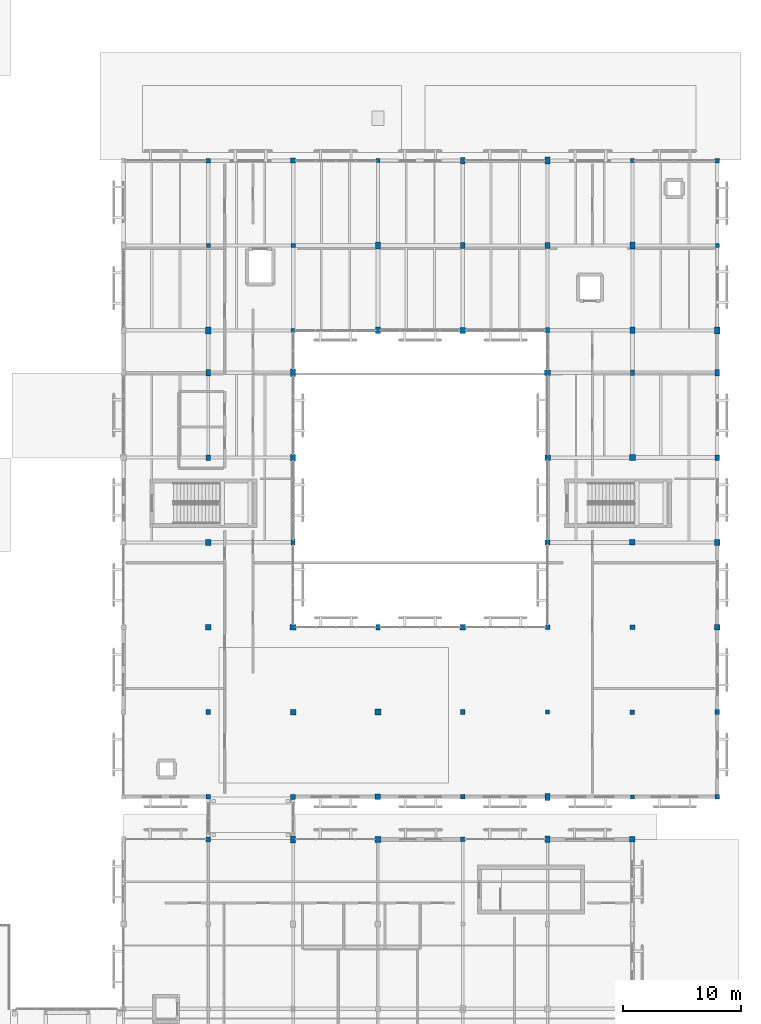
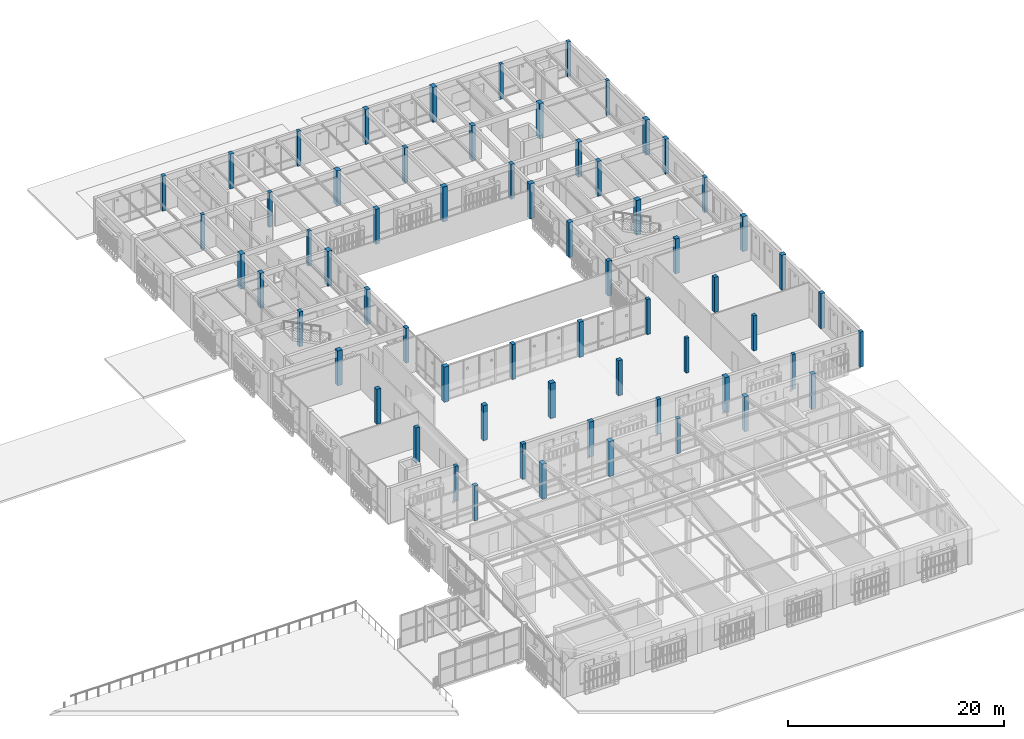
# One storey, part 11 of 112: 63 columns.
"""IFC4 building model written with IfcOpenShell, lengths in metres."""

from ifc_helpers import new_model, si_unit, direction, frame, origin, origin_2d, place, context, subcontext, project, spatial, rectangle, extrude, material, material_profile, profile_set, type_object, element, save


model = new_model("IFC4")

# Units and contexts
model_context = context("Model", 3, precision=1e-05, world=origin(), true_north=direction((0.0, 1.0)))
body_context = subcontext(model_context, "Body", "Model", "MODEL_VIEW")
ifc_project = project(units=[si_unit("LENGTHUNIT", "METRE"), si_unit("AREAUNIT", "SQUARE_METRE"), si_unit("VOLUMEUNIT", "CUBIC_METRE"), si_unit("PLANEANGLEUNIT", "RADIAN"), si_unit("MASSUNIT", "GRAM", prefix="KILO")], contexts=[model_context])

# Site, building, storey
site_placement = place(None, origin())
site = spatial("IfcSite", under=ifc_project, at=site_placement, CompositionType="ELEMENT")
building_placement = place(site_placement, origin())
building = spatial("IfcBuilding", under=site, at=building_placement, Name="Mazaris Harbour Polytechnic", CompositionType="ELEMENT")
storey_placement = place(building_placement, frame((0.0, 0.0, 13.800048828125)))
storey = spatial("IfcBuildingStorey", under=building, at=storey_placement, Name="L03", CompositionType="ELEMENT", Elevation=13.800048828125)

# Columns
ifc_material_1 = material(Name="Glulam GL28h", Category="wood")
ifc_material_profile_1 = material_profile(ifc_material_1, rectangle(XDim=0.340087890625, YDim=0.340087890625, at=origin_2d()), Name="RECT340x340")
ifc_profile_set_1 = profile_set([ifc_material_profile_1], Name="Glulam GL28h")
column_type_1 = type_object("IfcColumnType", Name="Glulam Column 340x340", PredefinedType="COLUMN", material=ifc_profile_set_1)
for number, where, z_axis, x_axis, name in (
    (1, (129.60009765625, 93.60009765625, 0.0), (0.0, 0.0, 1.0), (1.0, 0.0, 0.0), "V5 L03 Column 1416"),
    (2, (136.800048828125, 86.39990234375, 0.0), (0.0, 0.0, 1.0), (1.0, 0.0, 0.0), "V5 L03 Column 1424"),
):
    element("IfcColumn", number, at=place(storey_placement, frame(where, z_axis=z_axis, x_axis=x_axis)), inside=storey, type_object=column_type_1, Name=name, PredefinedType="COLUMN", context=body_context, shape_type="SweptSolid", body=[
        extrude(rectangle(XDim=0.340087890625, YDim=0.340087890625, at=origin_2d()), origin(), (0.0, 0.0, 1.0), 3.93505859375),
    ])
column_1_placement = place(storey_placement, frame((158.39990234375, 54.0, 0.0), z_axis=(0.0, 0.0, 1.0), x_axis=(1.0, 0.0, 0.0)))
element("IfcColumn", 3, at=column_1_placement, inside=storey, type_object=column_type_1, Name="V5 L03 Column 1440", PredefinedType="COLUMN", context=body_context, shape_type="SweptSolid", body=[
    extrude(rectangle(XDim=0.340087890625, YDim=0.340087890625, at=origin_2d()), origin(), (0.0, 0.0, 1.0), 3.9599609375),
])
ifc_material_2 = material(Name="Glulam GL28h", Category="wood")
ifc_material_profile_2 = material_profile(ifc_material_2, rectangle(XDim=0.340087890625, YDim=0.340087890625, at=origin_2d()), Name="RECT340x340")
ifc_profile_set_2 = profile_set([ifc_material_profile_2], Name="Glulam GL28h")
column_type_2 = type_object("IfcColumnType", Name="Glulam Column 340x340 Exterior", PredefinedType="COLUMN", material=ifc_profile_set_2)
column_2_placement = place(storey_placement, frame((144.0, 100.800048828125, 0.0), z_axis=(0.0, 0.0, 1.0), x_axis=(1.0, 0.0, 0.0)))
element("IfcColumn", 4, at=column_2_placement, inside=storey, type_object=column_type_2, Name="V5 L03 Column 1432", PredefinedType="COLUMN", context=body_context, shape_type="SweptSolid", body=[
    extrude(rectangle(XDim=0.340087890625, YDim=0.340087890625, at=origin_2d()), origin(), (0.0, 0.0, 1.0), 3.93505859375),
])
column_3_placement = place(storey_placement, frame((165.60009765625, 46.800048828125, 0.0), z_axis=(0.0, 0.0, 1.0), x_axis=(1.0, 0.0, 0.0)))
element("IfcColumn", 5, at=column_3_placement, inside=storey, type_object=column_type_2, Name="V5 L03 Column 1448", PredefinedType="COLUMN", context=body_context, shape_type="SweptSolid", body=[
    extrude(rectangle(XDim=0.340087890625, YDim=0.340087890625, at=origin_2d()), origin(), (0.0, 0.0, 1.0), 3.9599609375),
])
for number, where, z_axis, x_axis, name in (
    (6, (165.60009765625, 100.800048828125, 0.0), (0.0, 0.0, 1.0), (1.0, 0.0, 0.0), "V5 L03 Column 1456"),
    (7, (172.800048828125, 93.60009765625, 0.0), (0.0, 0.0, 1.0), (1.0, 0.0, 0.0), "V5 L03 Column 1464"),
):
    element("IfcColumn", number, at=place(storey_placement, frame(where, z_axis=z_axis, x_axis=x_axis)), inside=storey, type_object=column_type_2, Name=name, PredefinedType="COLUMN", context=body_context, shape_type="SweptSolid", body=[
        extrude(rectangle(XDim=0.340087890625, YDim=0.340087890625, at=origin_2d()), origin(), (0.0, 0.0, 1.0), 3.93505859375),
    ])
ifc_material_3 = material(Name="Glulam GL28h", Category="wood")
ifc_material_profile_3 = material_profile(ifc_material_3, rectangle(XDim=0.360107421875, YDim=0.47998046875, at=origin_2d()), Name="RECT360x480")
ifc_profile_set_3 = profile_set([ifc_material_profile_3], Name="Glulam GL28h")
column_type_3 = type_object("IfcColumnType", Name="Glulam Column 360x480", PredefinedType="COLUMN", material=ifc_profile_set_3)
for number, where, z_axis, x_axis, name in (
    (8, (129.60009765625, 75.60009765625, 0.0), (0.0, 0.0, 1.0), (1.0, 0.0, 0.0), "V5 L03 Column 1413"),
    (9, (136.800048828125, 68.39990234375, 0.0), (0.0, 0.0, 1.0), (1.0, 0.0, 0.0), "V5 L03 Column 1421"),
):
    element("IfcColumn", number, at=place(storey_placement, frame(where, z_axis=z_axis, x_axis=x_axis)), inside=storey, type_object=column_type_3, Name=name, PredefinedType="COLUMN", context=body_context, shape_type="SweptSolid", body=[
        extrude(rectangle(XDim=0.360107421875, YDim=0.47998046875, at=origin_2d()), origin(), (0.0, 0.0, 1.0), 3.93505859375),
    ])
column_4_placement = place(storey_placement, frame((144.0, 61.199951171875, 0.0), z_axis=(0.0, 0.0, 1.0), x_axis=(1.0, 0.0, 0.0)))
element("IfcColumn", 10, at=column_4_placement, inside=storey, type_object=column_type_3, Name="V5 L03 Column 1429", PredefinedType="COLUMN", context=body_context, shape_type="SweptSolid", body=[
    extrude(rectangle(XDim=0.360107421875, YDim=0.47998046875, at=origin_2d()), origin(), (0.0, 0.0, 1.0), 3.9599609375),
])
for number, where, z_axis, x_axis, name in (
    (11, (151.199951171875, 93.60009765625, 0.0), (0.0, 0.0, 1.0), (1.0, 0.0, 0.0), "V5 L03 Column 1437"),
    (12, (158.39990234375, 86.39990234375, 0.0), (0.0, 0.0, 1.0), (1.0, 0.0, 0.0), "V5 L03 Column 1445"),
    (13, (165.60009765625, 82.800048828125, 0.0), (0.0, 0.0, 1.0), (1.0, 0.0, 0.0), "V5 L03 Column 1453"),
):
    element("IfcColumn", number, at=place(storey_placement, frame(where, z_axis=z_axis, x_axis=x_axis)), inside=storey, type_object=column_type_3, Name=name, PredefinedType="COLUMN", context=body_context, shape_type="SweptSolid", body=[
        extrude(rectangle(XDim=0.360107421875, YDim=0.47998046875, at=origin_2d()), origin(), (0.0, 0.0, 1.0), 3.93505859375),
    ])
ifc_material_4 = material(Name="Glulam GL28h", Category="wood")
ifc_material_profile_4 = material_profile(ifc_material_4, rectangle(XDim=0.360107421875, YDim=0.47998046875, at=origin_2d()), Name="RECT360x480")
ifc_profile_set_4 = profile_set([ifc_material_profile_4], Name="Glulam GL28h")
column_type_4 = type_object("IfcColumnType", Name="Glulam Column 360x480 Exterior", PredefinedType="COLUMN", material=ifc_profile_set_4)
column_5_placement = place(storey_placement, frame((172.800048828125, 75.60009765625, 0.0), z_axis=(0.0, 0.0, 1.0), x_axis=(1.0, 0.0, 0.0)))
element("IfcColumn", 14, at=column_5_placement, inside=storey, type_object=column_type_4, Name="V5 L03 Column 1461", PredefinedType="COLUMN", context=body_context, shape_type="SweptSolid", body=[
    extrude(rectangle(XDim=0.360107421875, YDim=0.47998046875, at=origin_2d()), origin(), (0.0, 0.0, 1.0), 3.93505859375),
])
ifc_material_5 = material(Name="Glulam GL28h", Category="wood")
ifc_material_profile_5 = material_profile(ifc_material_5, rectangle(XDim=0.3798828125, YDim=0.3798828125, at=origin_2d()), Name="RECT380x380")
ifc_profile_set_5 = profile_set([ifc_material_profile_5], Name="Glulam GL28h")
column_type_5 = type_object("IfcColumnType", Name="Glulam Column 380x380", PredefinedType="COLUMN", material=ifc_profile_set_5)
column_6_placement = place(storey_placement, frame((136.800048828125, 93.60009765625, 0.0), z_axis=(0.0, 0.0, 1.0), x_axis=(1.0, 0.0, 0.0)))
element("IfcColumn", 15, at=column_6_placement, inside=storey, type_object=column_type_5, Name="V5 L03 Column 1425", PredefinedType="COLUMN", context=body_context, shape_type="SweptSolid", body=[
    extrude(rectangle(XDim=0.3798828125, YDim=0.3798828125, at=origin_2d()), origin(), (0.0, 0.0, 1.0), 3.93505859375),
])
for number, where, z_axis, x_axis, name in (
    (16, (158.39990234375, 61.199951171875, 0.0), (0.0, 0.0, 1.0), (1.0, 0.0, 0.0), "V5 L03 Column 1441"),
    (17, (165.60009765625, 54.0, 0.0), (0.0, 0.0, 1.0), (1.0, 0.0, 0.0), "V5 L03 Column 1449"),
):
    element("IfcColumn", number, at=place(storey_placement, frame(where, z_axis=z_axis, x_axis=x_axis)), inside=storey, type_object=column_type_5, Name=name, PredefinedType="COLUMN", context=body_context, shape_type="SweptSolid", body=[
        extrude(rectangle(XDim=0.3798828125, YDim=0.3798828125, at=origin_2d()), origin(), (0.0, 0.0, 1.0), 3.9599609375),
    ])
ifc_material_6 = material(Name="Glulam GL28h", Category="wood")
ifc_material_profile_6 = material_profile(ifc_material_6, rectangle(XDim=0.3798828125, YDim=0.3798828125, at=origin_2d()), Name="RECT380x380")
ifc_profile_set_6 = profile_set([ifc_material_profile_6], Name="Glulam GL28h")
column_type_6 = type_object("IfcColumnType", Name="Glulam Column 380x380 Exterior", PredefinedType="COLUMN", material=ifc_profile_set_6)
for number, where, z_axis, x_axis, name in (
    (18, (151.199951171875, 43.199951171875, 0.0), (0.0, 0.0, 1.0), (1.0, 0.0, 0.0), "V2 L03 Column 377"),
    (19, (129.60009765625, 46.800048828125, 0.0), (0.0, 0.0, 1.0), (1.0, 0.0, 0.0), "V5 L03 Column 1409"),
):
    element("IfcColumn", number, at=place(storey_placement, frame(where, z_axis=z_axis, x_axis=x_axis)), inside=storey, type_object=column_type_6, Name=name, PredefinedType="COLUMN", context=body_context, shape_type="SweptSolid", body=[
        extrude(rectangle(XDim=0.3798828125, YDim=0.3798828125, at=origin_2d()), origin(), (0.0, 0.0, 1.0), 3.9599609375),
    ])
column_7_placement = place(storey_placement, frame((129.60009765625, 100.800048828125, 0.0), z_axis=(0.0, 0.0, 1.0), x_axis=(1.0, 0.0, 0.0)))
element("IfcColumn", 20, at=column_7_placement, inside=storey, type_object=column_type_6, Name="V5 L03 Column 1417", PredefinedType="COLUMN", context=body_context, shape_type="SweptSolid", body=[
    extrude(rectangle(XDim=0.3798828125, YDim=0.3798828125, at=origin_2d()), origin(), (0.0, 0.0, 1.0), 3.93505859375),
])
for number, where, z_axis, x_axis, name in (
    (21, (151.199951171875, 46.800048828125, 0.0), (0.0, 0.0, 1.0), (1.0, 0.0, 0.0), "V5 L03 Column 1433"),
    (22, (172.800048828125, 46.800048828125, 0.0), (0.0, 0.0, 1.0), (1.0, 0.0, 0.0), "V5 L03 Column 1457"),
):
    element("IfcColumn", number, at=place(storey_placement, frame(where, z_axis=z_axis, x_axis=x_axis)), inside=storey, type_object=column_type_6, Name=name, PredefinedType="COLUMN", context=body_context, shape_type="SweptSolid", body=[
        extrude(rectangle(XDim=0.3798828125, YDim=0.3798828125, at=origin_2d()), origin(), (0.0, 0.0, 1.0), 3.9599609375),
    ])
column_8_placement = place(storey_placement, frame((172.800048828125, 100.800048828125, 0.0), z_axis=(0.0, 0.0, 1.0), x_axis=(1.0, 0.0, 0.0)))
element("IfcColumn", 23, at=column_8_placement, inside=storey, type_object=column_type_6, Name="V5 L03 Column 1465", PredefinedType="COLUMN", context=body_context, shape_type="SweptSolid", body=[
    extrude(rectangle(XDim=0.3798828125, YDim=0.3798828125, at=origin_2d()), origin(), (0.0, 0.0, 1.0), 3.93505859375),
])
ifc_material_7 = material(Name="Glulam GL28h", Category="wood")
ifc_material_profile_7 = material_profile(ifc_material_7, rectangle(XDim=0.39990234375, YDim=0.5400390625, at=origin_2d()), Name="RECT400x540")
ifc_profile_set_7 = profile_set([ifc_material_profile_7], Name="Glulam GL28h")
column_type_7 = type_object("IfcColumnType", Name="Glulam Column 400x540", PredefinedType="COLUMN", material=ifc_profile_set_7)
for number, where, z_axis, x_axis, name in (
    (24, (129.60009765625, 82.800048828125, 0.0), (0.0, 0.0, 1.0), (1.0, 0.0, 0.0), "V5 L03 Column 1414"),
    (25, (136.800048828125, 75.60009765625, 0.0), (0.0, 0.0, 1.0), (1.0, 0.0, 0.0), "V5 L03 Column 1422"),
    (26, (144.0, 86.39990234375, 0.0), (0.0, 0.0, 1.0), (1.0, 0.0, 0.0), "V5 L03 Column 1430"),
    (27, (158.39990234375, 93.60009765625, 0.0), (0.0, 0.0, 1.0), (1.0, 0.0, 0.0), "V5 L03 Column 1446"),
    (28, (165.60009765625, 86.39990234375, 0.0), (0.0, 0.0, 1.0), (1.0, 0.0, 0.0), "V5 L03 Column 1454"),
):
    element("IfcColumn", number, at=place(storey_placement, frame(where, z_axis=z_axis, x_axis=x_axis)), inside=storey, type_object=column_type_7, Name=name, PredefinedType="COLUMN", context=body_context, shape_type="SweptSolid", body=[
        extrude(rectangle(XDim=0.39990234375, YDim=0.5400390625, at=origin_2d()), origin(), (0.0, 0.0, 1.0), 3.93505859375),
    ])
ifc_material_8 = material(Name="Glulam GL28h", Category="wood")
ifc_material_profile_8 = material_profile(ifc_material_8, rectangle(XDim=0.39990234375, YDim=0.5400390625, at=origin_2d()), Name="RECT400x540")
ifc_profile_set_8 = profile_set([ifc_material_profile_8], Name="Glulam GL28h")
column_type_8 = type_object("IfcColumnType", Name="Glulam Column 400x540 Exterior", PredefinedType="COLUMN", material=ifc_profile_set_8)
column_9_placement = place(storey_placement, frame((158.39990234375, 43.199951171875, 0.0), z_axis=(0.0, 0.0, 1.0), x_axis=(1.0, 0.0, 0.0)))
element("IfcColumn", 29, at=column_9_placement, inside=storey, type_object=column_type_8, Name="V2 L03 Column 382", PredefinedType="COLUMN", context=body_context, shape_type="SweptSolid", body=[
    extrude(rectangle(XDim=0.39990234375, YDim=0.5400390625, at=origin_2d()), origin(), (0.0, 0.0, 1.0), 3.9599609375),
])
for number, where, z_axis, x_axis, name in (
    (30, (151.199951171875, 100.800048828125, 0.0), (0.0, 0.0, 1.0), (1.0, 0.0, 0.0), "V5 L03 Column 1438"),
    (31, (172.800048828125, 82.800048828125, 0.0), (0.0, 0.0, 1.0), (1.0, 0.0, 0.0), "V5 L03 Column 1462"),
):
    element("IfcColumn", number, at=place(storey_placement, frame(where, z_axis=z_axis, x_axis=x_axis)), inside=storey, type_object=column_type_8, Name=name, PredefinedType="COLUMN", context=body_context, shape_type="SweptSolid", body=[
        extrude(rectangle(XDim=0.39990234375, YDim=0.5400390625, at=origin_2d()), origin(), (0.0, 0.0, 1.0), 3.93505859375),
    ])
ifc_material_9 = material(Name="Glulam GL28h", Category="wood")
ifc_material_profile_9 = material_profile(ifc_material_9, rectangle(XDim=0.419921875, YDim=0.419921875, at=origin_2d()), Name="RECT420x420")
ifc_profile_set_9 = profile_set([ifc_material_profile_9], Name="Glulam GL28h")
column_type_9 = type_object("IfcColumnType", Name="Glulam Column 420x420", PredefinedType="COLUMN", material=ifc_profile_set_9)
for number, where, z_axis, x_axis, name in (
    (32, (129.60009765625, 54.0, 0.0), (0.0, 0.0, 1.0), (1.0, 0.0, 0.0), "V5 L03 Column 1410"),
    (33, (151.199951171875, 54.0, 0.0), (0.0, 0.0, 1.0), (1.0, 0.0, 0.0), "V5 L03 Column 1434"),
):
    element("IfcColumn", number, at=place(storey_placement, frame(where, z_axis=z_axis, x_axis=x_axis)), inside=storey, type_object=column_type_9, Name=name, PredefinedType="COLUMN", context=body_context, shape_type="SweptSolid", body=[
        extrude(rectangle(XDim=0.419921875, YDim=0.419921875, at=origin_2d()), origin(), (0.0, 0.0, 1.0), 3.9599609375),
    ])
column_10_placement = place(storey_placement, frame((158.39990234375, 68.39990234375, 0.0), z_axis=(0.0, 0.0, 1.0), x_axis=(1.0, 0.0, 0.0)))
element("IfcColumn", 34, at=column_10_placement, inside=storey, type_object=column_type_9, Name="V5 L03 Column 1442", PredefinedType="COLUMN", context=body_context, shape_type="SweptSolid", body=[
    extrude(rectangle(XDim=0.419921875, YDim=0.419921875, at=origin_2d()), origin(), (0.0, 0.0, 1.0), 3.93505859375),
])
column_11_placement = place(storey_placement, frame((165.60009765625, 61.199951171875, 0.0), z_axis=(0.0, 0.0, 1.0), x_axis=(1.0, 0.0, 0.0)))
element("IfcColumn", 35, at=column_11_placement, inside=storey, type_object=column_type_9, Name="V5 L03 Column 1450", PredefinedType="COLUMN", context=body_context, shape_type="SweptSolid", body=[
    extrude(rectangle(XDim=0.419921875, YDim=0.419921875, at=origin_2d()), origin(), (0.0, 0.0, 1.0), 3.9599609375),
])
ifc_material_10 = material(Name="Glulam GL28h", Category="wood")
ifc_material_profile_10 = material_profile(ifc_material_10, rectangle(XDim=0.419921875, YDim=0.419921875, at=origin_2d()), Name="RECT420x420")
ifc_profile_set_10 = profile_set([ifc_material_profile_10], Name="Glulam GL28h")
column_type_10 = type_object("IfcColumnType", Name="Glulam Column 420x420 Exterior", PredefinedType="COLUMN", material=ifc_profile_set_10)
for number, where, z_axis, x_axis, name in (
    (36, (129.60009765625, 43.199951171875, 0.0), (0.0, 0.0, 1.0), (1.0, 0.0, 0.0), "V2 L03 Column 362"),
    (37, (136.800048828125, 46.800048828125, 0.0), (0.0, 0.0, 1.0), (1.0, 0.0, 0.0), "V5 L03 Column 1418"),
):
    element("IfcColumn", number, at=place(storey_placement, frame(where, z_axis=z_axis, x_axis=x_axis)), inside=storey, type_object=column_type_10, Name=name, PredefinedType="COLUMN", context=body_context, shape_type="SweptSolid", body=[
        extrude(rectangle(XDim=0.419921875, YDim=0.419921875, at=origin_2d()), origin(), (0.0, 0.0, 1.0), 3.9599609375),
    ])
column_12_placement = place(storey_placement, frame((136.800048828125, 100.800048828125, 0.0), z_axis=(0.0, 0.0, 1.0), x_axis=(1.0, 0.0, 0.0)))
element("IfcColumn", 38, at=column_12_placement, inside=storey, type_object=column_type_10, Name="V5 L03 Column 1426", PredefinedType="COLUMN", context=body_context, shape_type="SweptSolid", body=[
    extrude(rectangle(XDim=0.419921875, YDim=0.419921875, at=origin_2d()), origin(), (0.0, 0.0, 1.0), 3.93505859375),
])
column_13_placement = place(storey_placement, frame((172.800048828125, 54.0, 0.0), z_axis=(0.0, 0.0, 1.0), x_axis=(1.0, 0.0, 0.0)))
element("IfcColumn", 39, at=column_13_placement, inside=storey, type_object=column_type_10, Name="V5 L03 Column 1458", PredefinedType="COLUMN", context=body_context, shape_type="SweptSolid", body=[
    extrude(rectangle(XDim=0.419921875, YDim=0.419921875, at=origin_2d()), origin(), (0.0, 0.0, 1.0), 3.9599609375),
])
ifc_material_11 = material(Name="Glulam GL28h", Category="wood")
ifc_material_profile_11 = material_profile(ifc_material_11, rectangle(XDim=0.43994140625, YDim=0.60009765625, at=origin_2d()), Name="RECT440x600")
ifc_profile_set_11 = profile_set([ifc_material_profile_11], Name="Glulam GL28h")
column_type_11 = type_object("IfcColumnType", Name="Glulam Column 440x600", PredefinedType="COLUMN", material=ifc_profile_set_11)
for number, where, z_axis, x_axis, name in (
    (40, (129.60009765625, 86.39990234375, 0.0), (0.0, 0.0, 1.0), (1.0, 0.0, 0.0), "V5 L03 Column 1415"),
    (41, (136.800048828125, 82.800048828125, 0.0), (0.0, 0.0, 1.0), (1.0, 0.0, 0.0), "V5 L03 Column 1423"),
    (42, (144.0, 93.60009765625, 0.0), (0.0, 0.0, 1.0), (1.0, 0.0, 0.0), "V5 L03 Column 1431"),
    (43, (165.60009765625, 93.60009765625, 0.0), (0.0, 0.0, 1.0), (1.0, 0.0, 0.0), "V5 L03 Column 1455"),
):
    element("IfcColumn", number, at=place(storey_placement, frame(where, z_axis=z_axis, x_axis=x_axis)), inside=storey, type_object=column_type_11, Name=name, PredefinedType="COLUMN", context=body_context, shape_type="SweptSolid", body=[
        extrude(rectangle(XDim=0.43994140625, YDim=0.60009765625, at=origin_2d()), origin(), (0.0, 0.0, 1.0), 3.93505859375),
    ])
ifc_material_12 = material(Name="Glulam GL28h", Category="wood")
ifc_material_profile_12 = material_profile(ifc_material_12, rectangle(XDim=0.43994140625, YDim=0.60009765625, at=origin_2d()), Name="RECT440x600")
ifc_profile_set_12 = profile_set([ifc_material_profile_12], Name="Glulam GL28h")
column_type_12 = type_object("IfcColumnType", Name="Glulam Column 440x600 Exterior", PredefinedType="COLUMN", material=ifc_profile_set_12)
for number, where, z_axis, x_axis, name in (
    (44, (136.800048828125, 43.199951171875, 0.0), (0.0, 0.0, 1.0), (1.0, 0.0, 0.0), "V2 L03 Column 367"),
    (45, (158.39990234375, 46.800048828125, 0.0), (0.0, 0.0, 1.0), (1.0, 0.0, 0.0), "V5 L03 Column 1439"),
):
    element("IfcColumn", number, at=place(storey_placement, frame(where, z_axis=z_axis, x_axis=x_axis)), inside=storey, type_object=column_type_12, Name=name, PredefinedType="COLUMN", context=body_context, shape_type="SweptSolid", body=[
        extrude(rectangle(XDim=0.43994140625, YDim=0.60009765625, at=origin_2d()), origin(), (0.0, 0.0, 1.0), 3.9599609375),
    ])
for number, where, z_axis, x_axis, name in (
    (46, (158.39990234375, 100.800048828125, 0.0), (0.0, 0.0, 1.0), (1.0, 0.0, 0.0), "V5 L03 Column 1447"),
    (47, (172.800048828125, 86.39990234375, 0.0), (0.0, 0.0, 1.0), (1.0, 0.0, 0.0), "V5 L03 Column 1463"),
):
    element("IfcColumn", number, at=place(storey_placement, frame(where, z_axis=z_axis, x_axis=x_axis)), inside=storey, type_object=column_type_12, Name=name, PredefinedType="COLUMN", context=body_context, shape_type="SweptSolid", body=[
        extrude(rectangle(XDim=0.43994140625, YDim=0.60009765625, at=origin_2d()), origin(), (0.0, 0.0, 1.0), 3.93505859375),
    ])
ifc_material_13 = material(Name="Glulam GL28h", Category="wood")
ifc_material_profile_13 = material_profile(ifc_material_13, rectangle(XDim=0.4599609375, YDim=0.4599609375, at=origin_2d()), Name="RECT460x460")
ifc_profile_set_13 = profile_set([ifc_material_profile_13], Name="Glulam GL28h")
column_type_13 = type_object("IfcColumnType", Name="Glulam Column 460x460", PredefinedType="COLUMN", material=ifc_profile_set_13)
for number, where, z_axis, x_axis, name in (
    (48, (129.60009765625, 61.199951171875, 0.0), (0.0, 0.0, 1.0), (1.0, 0.0, 0.0), "V5 L03 Column 1411"),
    (49, (136.800048828125, 54.0, 0.0), (0.0, 0.0, 1.0), (1.0, 0.0, 0.0), "V5 L03 Column 1419"),
    (50, (151.199951171875, 61.199951171875, 0.0), (0.0, 0.0, 1.0), (1.0, 0.0, 0.0), "V5 L03 Column 1435"),
):
    element("IfcColumn", number, at=place(storey_placement, frame(where, z_axis=z_axis, x_axis=x_axis)), inside=storey, type_object=column_type_13, Name=name, PredefinedType="COLUMN", context=body_context, shape_type="SweptSolid", body=[
        extrude(rectangle(XDim=0.4599609375, YDim=0.4599609375, at=origin_2d()), origin(), (0.0, 0.0, 1.0), 3.9599609375),
    ])
for number, where, z_axis, x_axis, name in (
    (51, (158.39990234375, 75.60009765625, 0.0), (0.0, 0.0, 1.0), (1.0, 0.0, 0.0), "V5 L03 Column 1443"),
    (52, (165.60009765625, 68.39990234375, 0.0), (0.0, 0.0, 1.0), (1.0, 0.0, 0.0), "V5 L03 Column 1451"),
):
    element("IfcColumn", number, at=place(storey_placement, frame(where, z_axis=z_axis, x_axis=x_axis)), inside=storey, type_object=column_type_13, Name=name, PredefinedType="COLUMN", context=body_context, shape_type="SweptSolid", body=[
        extrude(rectangle(XDim=0.4599609375, YDim=0.4599609375, at=origin_2d()), origin(), (0.0, 0.0, 1.0), 3.93505859375),
    ])
ifc_material_14 = material(Name="Glulam GL28h", Category="wood")
ifc_material_profile_14 = material_profile(ifc_material_14, rectangle(XDim=0.4599609375, YDim=0.4599609375, at=origin_2d()), Name="RECT460x460")
ifc_profile_set_14 = profile_set([ifc_material_profile_14], Name="Glulam GL28h")
column_type_14 = type_object("IfcColumnType", Name="Glulam Column 460x460 Exterior", PredefinedType="COLUMN", material=ifc_profile_set_14)
for number, where, z_axis, x_axis, name in (
    (53, (165.60009765625, 43.199951171875, 0.0), (0.0, 0.0, 1.0), (1.0, 0.0, 0.0), "V2 L03 Column 387"),
    (54, (144.0, 46.800048828125, 0.0), (0.0, 0.0, 1.0), (1.0, 0.0, 0.0), "V5 L03 Column 1427"),
    (55, (172.800048828125, 61.199951171875, 0.0), (0.0, 0.0, 1.0), (1.0, 0.0, 0.0), "V5 L03 Column 1459"),
):
    element("IfcColumn", number, at=place(storey_placement, frame(where, z_axis=z_axis, x_axis=x_axis)), inside=storey, type_object=column_type_14, Name=name, PredefinedType="COLUMN", context=body_context, shape_type="SweptSolid", body=[
        extrude(rectangle(XDim=0.4599609375, YDim=0.4599609375, at=origin_2d()), origin(), (0.0, 0.0, 1.0), 3.9599609375),
    ])
ifc_material_15 = material(Name="Glulam GL28h", Category="wood")
ifc_material_profile_15 = material_profile(ifc_material_15, rectangle(XDim=0.5, YDim=0.5, at=origin_2d()), Name="RECT500x500")
ifc_profile_set_15 = profile_set([ifc_material_profile_15], Name="Glulam GL28h")
column_type_15 = type_object("IfcColumnType", Name="Glulam Column 500x500", PredefinedType="COLUMN", material=ifc_profile_set_15)
column_14_placement = place(storey_placement, frame((129.60009765625, 68.39990234375, 0.0), z_axis=(0.0, 0.0, 1.0), x_axis=(1.0, 0.0, 0.0)))
element("IfcColumn", 56, at=column_14_placement, inside=storey, type_object=column_type_15, Name="V5 L03 Column 1412", PredefinedType="COLUMN", context=body_context, shape_type="SweptSolid", body=[
    extrude(rectangle(XDim=0.5, YDim=0.5, at=origin_2d()), origin(), (0.0, 0.0, 1.0), 3.93505859375),
])
for number, where, z_axis, x_axis, name in (
    (57, (136.800048828125, 61.199951171875, 0.0), (0.0, 0.0, 1.0), (1.0, 0.0, 0.0), "V5 L03 Column 1420"),
    (58, (144.0, 54.0, 0.0), (0.0, 0.0, 1.0), (1.0, 0.0, 0.0), "V5 L03 Column 1428"),
):
    element("IfcColumn", number, at=place(storey_placement, frame(where, z_axis=z_axis, x_axis=x_axis)), inside=storey, type_object=column_type_15, Name=name, PredefinedType="COLUMN", context=body_context, shape_type="SweptSolid", body=[
        extrude(rectangle(XDim=0.5, YDim=0.5, at=origin_2d()), origin(), (0.0, 0.0, 1.0), 3.9599609375),
    ])
for number, where, z_axis, x_axis, name in (
    (59, (151.199951171875, 86.39990234375, 0.0), (0.0, 0.0, 1.0), (1.0, 0.0, 0.0), "V5 L03 Column 1436"),
    (60, (158.39990234375, 82.800048828125, 0.0), (0.0, 0.0, 1.0), (1.0, 0.0, 0.0), "V5 L03 Column 1444"),
    (61, (165.60009765625, 75.60009765625, 0.0), (0.0, 0.0, 1.0), (1.0, 0.0, 0.0), "V5 L03 Column 1452"),
):
    element("IfcColumn", number, at=place(storey_placement, frame(where, z_axis=z_axis, x_axis=x_axis)), inside=storey, type_object=column_type_15, Name=name, PredefinedType="COLUMN", context=body_context, shape_type="SweptSolid", body=[
        extrude(rectangle(XDim=0.5, YDim=0.5, at=origin_2d()), origin(), (0.0, 0.0, 1.0), 3.93505859375),
    ])
ifc_material_16 = material(Name="Glulam GL28h", Category="wood")
ifc_material_profile_16 = material_profile(ifc_material_16, rectangle(XDim=0.5, YDim=0.5, at=origin_2d()), Name="RECT500x500")
ifc_profile_set_16 = profile_set([ifc_material_profile_16], Name="Glulam GL28h")
column_type_16 = type_object("IfcColumnType", Name="Glulam Column 500x500 Exterior", PredefinedType="COLUMN", material=ifc_profile_set_16)
column_15_placement = place(storey_placement, frame((144.0, 43.199951171875, 0.0), z_axis=(0.0, 0.0, 1.0), x_axis=(1.0, 0.0, 0.0)))
element("IfcColumn", 62, at=column_15_placement, inside=storey, type_object=column_type_16, Name="V2 L03 Column 372", PredefinedType="COLUMN", context=body_context, shape_type="SweptSolid", body=[
    extrude(rectangle(XDim=0.5, YDim=0.5, at=origin_2d()), origin(), (0.0, 0.0, 1.0), 3.9599609375),
])
column_16_placement = place(storey_placement, frame((172.800048828125, 68.39990234375, 0.0), z_axis=(0.0, 0.0, 1.0), x_axis=(1.0, 0.0, 0.0)))
element("IfcColumn", 63, at=column_16_placement, inside=storey, type_object=column_type_16, Name="V5 L03 Column 1460", PredefinedType="COLUMN", context=body_context, shape_type="SweptSolid", body=[
    extrude(rectangle(XDim=0.5, YDim=0.5, at=origin_2d()), origin(), (0.0, 0.0, 1.0), 3.93505859375),
])

save(model, "model.ifc")
